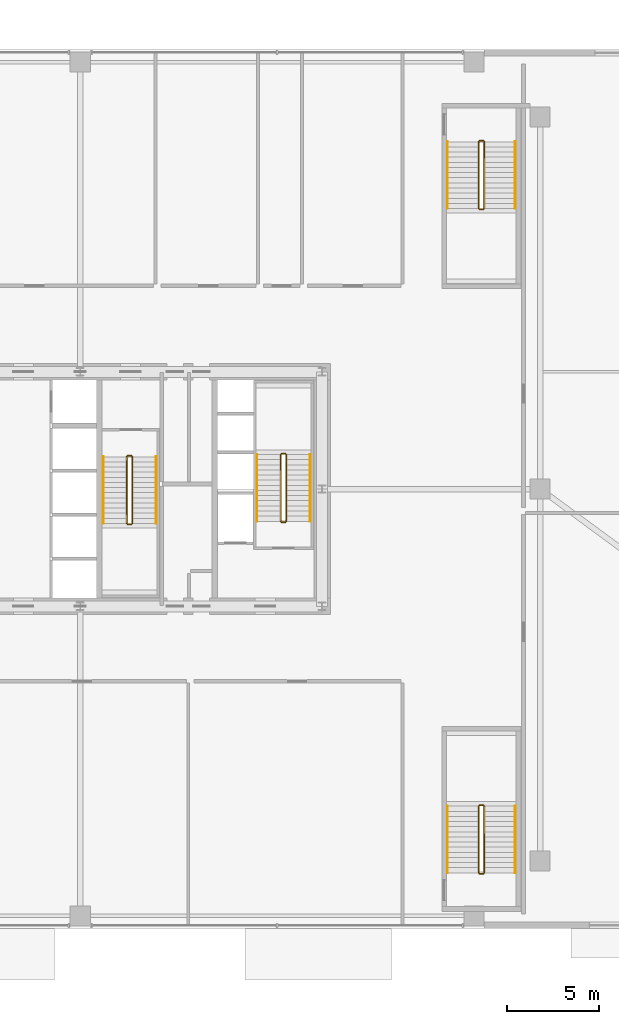
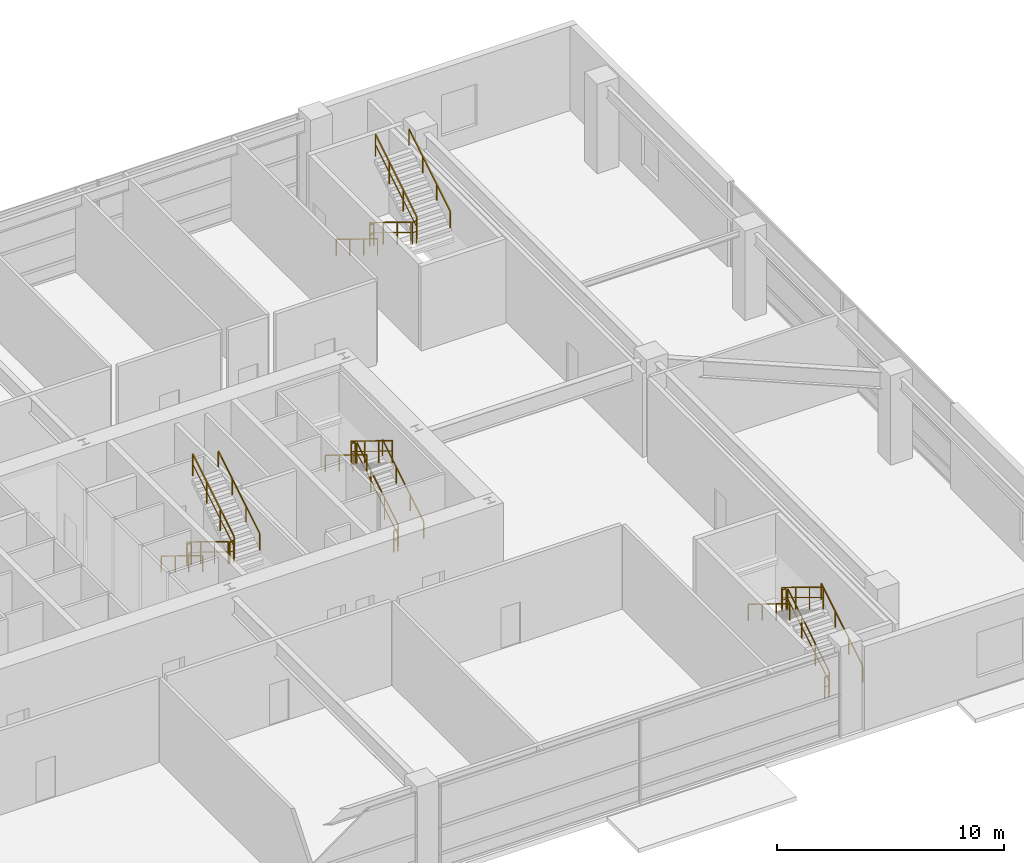
# One storey, part 37 of 37: 24 railings.
"""IFC4 building model written with IfcOpenShell, lengths in metres."""

from ifc_helpers import new_model, si_unit, direction, frame, origin, origin_2d, place, context, subcontext, project, spatial, rectangle, extrude, source, transform, mapped, material, layer, layer_set, type_object, element, save


model = new_model("IFC4")

# Units and contexts
model_context = context("Model", 3, precision=1e-05, world=origin(), true_north=direction((0.0, 1.0)))
body_context = subcontext(model_context, "Body", "Model", "MODEL_VIEW")
ifc_project = project(units=[si_unit("LENGTHUNIT", "METRE"), si_unit("AREAUNIT", "SQUARE_METRE"), si_unit("VOLUMEUNIT", "CUBIC_METRE"), si_unit("PLANEANGLEUNIT", "RADIAN"), si_unit("MASSUNIT", "GRAM", prefix="KILO"), si_unit("THERMODYNAMICTEMPERATUREUNIT", "KELVIN"), si_unit("POWERUNIT", "WATT")], contexts=[model_context])

# Site, building, storey
site_placement = place(None, origin())
site = spatial("IfcSite", under=ifc_project, at=site_placement, CompositionType="ELEMENT")
building_placement = place(site_placement, origin())
building = spatial("IfcBuilding", under=site, at=building_placement, Name="Yuzanri Waterfront Tower", CompositionType="ELEMENT")
storey_placement = place(building_placement, frame((0.0, 0.0, 5.39990234375)))
storey = spatial("IfcBuildingStorey", under=building, at=storey_placement, Name="L02", CompositionType="ELEMENT", Elevation=5.39990234375)

# Railings
ifc_material_1 = material(Name="Painted Galvanized Fire Steel", Category="steel")
ifc_layer_1 = layer(ifc_material_1, 0.06005859375)
ifc_layer_set_1 = layer_set([ifc_layer_1], Name="Painted Galvanized Fire Steel")
railing_type_1 = type_object("IfcRailingType", Name="Painted Steel Stairwell Guardrail 1120", PredefinedType="GUARDRAIL", material=ifc_layer_set_1)
shared_shape_1 = source(origin(), body_context, "Body", "SweptSolid", [
    extrude(rectangle(XDim=0.050048828125, YDim=0.050048828125, at=origin_2d()), frame((0.0, 0.0, 1.1748046875), z_axis=(-1.0, 0.0, 0.0), x_axis=(0.0, -1.0, 0.0)), (0.0, 0.0, 1.0), 0.199951171875),
    extrude(rectangle(XDim=0.035888671875, YDim=0.030029296875, at=origin_2d()), frame((0.0, 0.0, 0.6240234375), z_axis=(-1.0, 0.0, 0.0), x_axis=(0.0, -1.0, 0.0)), (0.0, 0.0, 1.0), 0.199951171875),
    extrude(rectangle(XDim=0.0458984375, YDim=0.0458984375, at=origin_2d()), origin(), (0.0, 0.0, 1.0), 1.14990234375),
    extrude(rectangle(XDim=0.0458984375, YDim=0.0458984375, at=origin_2d()), frame((-0.199951171875, 0.0, 0.0)), (0.0, 0.0, 1.0), 1.14990234375),
])
for number, where, name in (
    (1, (48.199951171875, 27.72998046875, 2.400146484375), "L02 ST-02 stair guard 2"),
    (2, (48.199951171875, 23.989990234375, 0.0), "L02 ST-02 stair guard 4"),
    (3, (59.0, 8.5400390625, 2.400146484375), "L02 PST-02 stair guard 2"),
    (4, (59.0, 4.800048828125, 0.0), "L02 PST-02 stair guard 4"),
):
    element("IfcRailing", number, at=place(storey_placement, frame(where)), inside=storey, type_object=railing_type_1, Name=name, PredefinedType="GUARDRAIL", context=body_context, shape_type="MappedRepresentation", body=[
        mapped(shared_shape_1, transform((0.0, 0.0, 0.0), scale=1.0)),
    ])
shared_shape_2 = source(origin(), body_context, "Body", "SweptSolid", [
    extrude(rectangle(XDim=0.050048828125, YDim=0.050048828125, at=origin_2d()), frame((0.0, 0.0, 1.1748046875), z_axis=(0.0, 0.852850264322, 0.5221555579), x_axis=(-1.0, 0.0, 0.0)), (0.0, 0.0, 1.0), 4.267822265625),
    extrude(rectangle(XDim=0.035888671875, YDim=0.030029296875, at=origin_2d()), frame((0.0, 0.0, 0.6240234375), z_axis=(0.0, 0.852850264322, 0.5221555579), x_axis=(-1.0, 0.0, 0.0)), (0.0, 0.0, 1.0), 4.267822265625),
    extrude(rectangle(XDim=0.0458984375, YDim=0.0458984375, at=origin_2d()), origin(), (0.0, 0.0, 1.0), 1.14990234375),
    extrude(rectangle(XDim=0.0458984375, YDim=0.0458984375, at=origin_2d()), frame((0.0, 1.21337890625, 0.742919921875)), (0.0, 0.0, 1.0), 1.14990234375),
    extrude(rectangle(XDim=0.0458984375, YDim=0.0458984375, at=origin_2d()), frame((0.0, 2.426513671875, 1.485595703125)), (0.0, 0.0, 1.0), 1.14990234375),
    extrude(rectangle(XDim=0.0458984375, YDim=0.0458984375, at=origin_2d()), frame((0.0, 3.639892578125, 2.228515625)), (0.0, 0.0, 1.0), 1.14990234375),
])
for number, where, name in (
    (5, (48.25, 24.0400390625, 0.171630859375), "L02 ST-02 stair guard 1"),
    (6, (59.050048828125, 4.85009765625, 0.171630859375), "L02 PST-02 stair guard 1"),
    (7, (59.050048828125, 41.110107421875, 2.571533203125), "L02 PST-03 stair guard 3"),
):
    element("IfcRailing", number, at=place(storey_placement, frame(where)), inside=storey, type_object=railing_type_1, Name=name, PredefinedType="GUARDRAIL", context=body_context, shape_type="MappedRepresentation", body=[
        mapped(shared_shape_2, transform((0.0, 0.0, 0.0), scale=1.0)),
    ])
shared_shape_3 = source(origin(), body_context, "Body", "SweptSolid", [
    extrude(rectangle(XDim=0.050048828125, YDim=0.050048828125, at=origin_2d()), frame((0.0, 0.0, 1.1748046875), z_axis=(0.0, -0.852850264322, 0.5221555579), x_axis=(1.0, 0.0, 0.0)), (0.0, 0.0, 1.0), 4.267822265625),
    extrude(rectangle(XDim=0.035888671875, YDim=0.030029296875, at=origin_2d()), frame((0.0, 0.0, 0.6240234375), z_axis=(0.0, -0.852850264322, 0.5221555579), x_axis=(1.0, 0.0, 0.0)), (0.0, 0.0, 1.0), 4.267822265625),
    extrude(rectangle(XDim=0.0458984375, YDim=0.0458984375, at=origin_2d()), origin(), (0.0, 0.0, 1.0), 1.14990234375),
    extrude(rectangle(XDim=0.0458984375, YDim=0.0458984375, at=origin_2d()), frame((0.0, -1.21337890625, 0.742919921875)), (0.0, 0.0, 1.0), 1.14990234375),
    extrude(rectangle(XDim=0.0458984375, YDim=0.0458984375, at=origin_2d()), frame((0.0, -2.426513671875, 1.485595703125)), (0.0, 0.0, 1.0), 1.14990234375),
    extrude(rectangle(XDim=0.0458984375, YDim=0.0458984375, at=origin_2d()), frame((0.0, -3.639892578125, 2.228515625)), (0.0, 0.0, 1.0), 1.14990234375),
])
for number, where, name in (
    (8, (47.949951171875, 27.679931640625, 2.571533203125), "L02 ST-02 stair guard 3"),
    (9, (58.75, 8.489990234375, 2.571533203125), "L02 PST-02 stair guard 3"),
    (10, (58.75, 44.75, 0.171630859375), "L02 PST-03 stair guard 1"),
):
    element("IfcRailing", number, at=place(storey_placement, frame(where)), inside=storey, type_object=railing_type_1, Name=name, PredefinedType="GUARDRAIL", context=body_context, shape_type="MappedRepresentation", body=[
        mapped(shared_shape_3, transform((0.0, 0.0, 0.0), scale=1.0)),
    ])
ifc_material_2 = material(Name="Anodized Architectural Bronze", Category="metal")
ifc_layer_2 = layer(ifc_material_2, 0.050048828125)
ifc_layer_set_2 = layer_set([ifc_layer_2], Name="Anodized Architectural Bronze")
railing_type_2 = type_object("IfcRailingType", Name="Brushed Bronze Stair Pitch Handrail 920", PredefinedType="HANDRAIL", material=ifc_layer_set_2)
shared_shape_4 = source(origin(), body_context, "Body", "SweptSolid", [
    extrude(rectangle(XDim=0.050048828125, YDim=0.050048828125, at=origin_2d()), frame((0.0, 0.0, 0.875), z_axis=(0.0, 0.852850264322, 0.5221555579), x_axis=(-1.0, 0.0, 0.0)), (0.0, 0.0, 1.0), 4.267822265625),
    extrude(rectangle(XDim=0.0458984375, YDim=0.0458984375, at=origin_2d()), origin(), (0.0, 0.0, 1.0), 0.849853515625),
    extrude(rectangle(XDim=0.0458984375, YDim=0.0458984375, at=origin_2d()), frame((0.0, 1.21337890625, 0.742919921875)), (0.0, 0.0, 1.0), 0.849853515625),
    extrude(rectangle(XDim=0.0458984375, YDim=0.0458984375, at=origin_2d()), frame((0.0, 2.426513671875, 1.485595703125)), (0.0, 0.0, 1.0), 0.849853515625),
    extrude(rectangle(XDim=0.0458984375, YDim=0.0458984375, at=origin_2d()), frame((0.0, 3.639892578125, 2.228515625)), (0.0, 0.0, 1.0), 0.849853515625),
])
for number, where, name in (
    (11, (49.550048828125, 24.0400390625, 0.171630859375), "L02 ST-02 stair handrail 1"),
    (12, (60.75, 4.85009765625, 0.171630859375), "L02 PST-02 stair handrail 1"),
    (13, (60.75, 41.110107421875, 2.571533203125), "L02 PST-03 stair handrail 2"),
):
    element("IfcRailing", number, at=place(storey_placement, frame(where)), inside=storey, type_object=railing_type_2, Name=name, PredefinedType="HANDRAIL", context=body_context, shape_type="MappedRepresentation", body=[
        mapped(shared_shape_4, transform((0.0, 0.0, 0.0), scale=1.0)),
    ])
shared_shape_5 = source(origin(), body_context, "Body", "SweptSolid", [
    extrude(rectangle(XDim=0.050048828125, YDim=0.050048828125, at=origin_2d()), frame((0.0, 0.0, 0.875), z_axis=(0.0, -0.852850264322, 0.5221555579), x_axis=(1.0, 0.0, 0.0)), (0.0, 0.0, 1.0), 4.267822265625),
    extrude(rectangle(XDim=0.0458984375, YDim=0.0458984375, at=origin_2d()), origin(), (0.0, 0.0, 1.0), 0.849853515625),
    extrude(rectangle(XDim=0.0458984375, YDim=0.0458984375, at=origin_2d()), frame((0.0, -1.21337890625, 0.742919921875)), (0.0, 0.0, 1.0), 0.849853515625),
    extrude(rectangle(XDim=0.0458984375, YDim=0.0458984375, at=origin_2d()), frame((0.0, -2.426513671875, 1.485595703125)), (0.0, 0.0, 1.0), 0.849853515625),
    extrude(rectangle(XDim=0.0458984375, YDim=0.0458984375, at=origin_2d()), frame((0.0, -3.639892578125, 2.228515625)), (0.0, 0.0, 1.0), 0.849853515625),
])
for number, where, name in (
    (14, (46.64990234375, 27.679931640625, 2.571533203125), "L02 ST-02 stair handrail 2"),
    (15, (57.050048828125, 8.489990234375, 2.571533203125), "L02 PST-02 stair handrail 2"),
    (16, (57.050048828125, 44.75, 0.171630859375), "L02 PST-03 stair handrail 1"),
):
    element("IfcRailing", number, at=place(storey_placement, frame(where)), inside=storey, type_object=railing_type_2, Name=name, PredefinedType="HANDRAIL", context=body_context, shape_type="MappedRepresentation", body=[
        mapped(shared_shape_5, transform((0.0, 0.0, 0.0), scale=1.0)),
    ])
shared_shape_6 = source(origin(), body_context, "Body", "SweptSolid", [
    extrude(rectangle(XDim=0.050048828125, YDim=0.050048828125, at=origin_2d()), frame((0.0, 0.0, 1.1748046875), z_axis=(1.0, 0.0, 0.0), x_axis=(0.0, 1.0, 0.0)), (0.0, 0.0, 1.0), 0.199951171875),
    extrude(rectangle(XDim=0.035888671875, YDim=0.030029296875, at=origin_2d()), frame((0.0, 0.0, 0.6240234375), z_axis=(1.0, 0.0, 0.0), x_axis=(0.0, 1.0, 0.0)), (0.0, 0.0, 1.0), 0.199951171875),
    extrude(rectangle(XDim=0.0458984375, YDim=0.0458984375, at=origin_2d()), origin(), (0.0, 0.0, 1.0), 1.14990234375),
    extrude(rectangle(XDim=0.0458984375, YDim=0.0458984375, at=origin_2d()), frame((0.199951171875, 0.0, 0.0)), (0.0, 0.0, 1.0), 1.14990234375),
])
for number, where, name in (
    (17, (39.60009765625, 23.8701171875, 2.400146484375), "L02 ST-03 stair guard 2"),
    (18, (39.60009765625, 27.610107421875, 0.0), "L02 ST-03 stair guard 4"),
    (19, (58.800048828125, 41.06005859375, 2.400146484375), "L02 PST-03 stair guard 2"),
    (20, (58.800048828125, 44.800048828125, 0.0), "L02 PST-03 stair guard 4"),
):
    element("IfcRailing", number, at=place(storey_placement, frame(where)), inside=storey, type_object=railing_type_1, Name=name, PredefinedType="GUARDRAIL", context=body_context, shape_type="MappedRepresentation", body=[
        mapped(shared_shape_6, transform((0.0, 0.0, 0.0), scale=1.0)),
    ])
shared_shape_7 = source(origin(), body_context, "Body", "SweptSolid", [
    extrude(rectangle(XDim=0.050048828125, YDim=0.050048828125, at=origin_2d()), frame((0.0, 0.0, 1.1748046875), z_axis=(0.0, -0.852865859571, 0.52213008492), x_axis=(1.0, 0.0, 0.0)), (0.0, 0.0, 1.0), 4.26806640625),
    extrude(rectangle(XDim=0.035888671875, YDim=0.030029296875, at=origin_2d()), frame((0.0, 0.0, 0.6240234375), z_axis=(0.0, -0.852865859571, 0.52213008492), x_axis=(1.0, 0.0, 0.0)), (0.0, 0.0, 1.0), 4.26806640625),
    extrude(rectangle(XDim=0.0458984375, YDim=0.0458984375, at=origin_2d()), origin(), (0.0, 0.0, 1.0), 1.14990234375),
    extrude(rectangle(XDim=0.0458984375, YDim=0.0458984375, at=origin_2d()), frame((0.0, -1.21337890625, 0.742919921875)), (0.0, 0.0, 1.0), 1.14990234375),
    extrude(rectangle(XDim=0.0458984375, YDim=0.0458984375, at=origin_2d()), frame((0.0, -2.4267578125, 1.485595703125)), (0.0, 0.0, 1.0), 1.14990234375),
    extrude(rectangle(XDim=0.0458984375, YDim=0.0458984375, at=origin_2d()), frame((0.0, -3.64013671875, 2.228515625)), (0.0, 0.0, 1.0), 1.14990234375),
])
railing_1_placement = place(storey_placement, frame((39.550048828125, 27.56005859375, 0.171630859375)))
element("IfcRailing", 21, at=railing_1_placement, inside=storey, type_object=railing_type_1, Name="L02 ST-03 stair guard 1", PredefinedType="GUARDRAIL", context=body_context, shape_type="MappedRepresentation", body=[
    mapped(shared_shape_7, transform((0.0, 0.0, 0.0), scale=1.0)),
])
shared_shape_8 = source(origin(), body_context, "Body", "SweptSolid", [
    extrude(rectangle(XDim=0.050048828125, YDim=0.050048828125, at=origin_2d()), frame((0.0, 0.0, 1.1748046875), z_axis=(0.0, 0.852865859571, 0.52213008492), x_axis=(-1.0, 0.0, 0.0)), (0.0, 0.0, 1.0), 4.26806640625),
    extrude(rectangle(XDim=0.035888671875, YDim=0.030029296875, at=origin_2d()), frame((0.0, 0.0, 0.6240234375), z_axis=(0.0, 0.852865859571, 0.52213008492), x_axis=(-1.0, 0.0, 0.0)), (0.0, 0.0, 1.0), 4.26806640625),
    extrude(rectangle(XDim=0.0458984375, YDim=0.0458984375, at=origin_2d()), origin(), (0.0, 0.0, 1.0), 1.14990234375),
    extrude(rectangle(XDim=0.0458984375, YDim=0.0458984375, at=origin_2d()), frame((0.0, 1.21337890625, 0.742919921875)), (0.0, 0.0, 1.0), 1.14990234375),
    extrude(rectangle(XDim=0.0458984375, YDim=0.0458984375, at=origin_2d()), frame((0.0, 2.4267578125, 1.485595703125)), (0.0, 0.0, 1.0), 1.14990234375),
    extrude(rectangle(XDim=0.0458984375, YDim=0.0458984375, at=origin_2d()), frame((0.0, 3.64013671875, 2.228515625)), (0.0, 0.0, 1.0), 1.14990234375),
])
railing_2_placement = place(storey_placement, frame((39.85009765625, 23.919921875, 2.571533203125)))
element("IfcRailing", 22, at=railing_2_placement, inside=storey, type_object=railing_type_1, Name="L02 ST-03 stair guard 3", PredefinedType="GUARDRAIL", context=body_context, shape_type="MappedRepresentation", body=[
    mapped(shared_shape_8, transform((0.0, 0.0, 0.0), scale=1.0)),
])
shared_shape_9 = source(origin(), body_context, "Body", "SweptSolid", [
    extrude(rectangle(XDim=0.050048828125, YDim=0.050048828125, at=origin_2d()), frame((0.0, 0.0, 0.875), z_axis=(0.0, -0.852865859571, 0.52213008492), x_axis=(1.0, 0.0, 0.0)), (0.0, 0.0, 1.0), 4.26806640625),
    extrude(rectangle(XDim=0.0458984375, YDim=0.0458984375, at=origin_2d()), origin(), (0.0, 0.0, 1.0), 0.849853515625),
    extrude(rectangle(XDim=0.0458984375, YDim=0.0458984375, at=origin_2d()), frame((0.0, -1.21337890625, 0.742919921875)), (0.0, 0.0, 1.0), 0.849853515625),
    extrude(rectangle(XDim=0.0458984375, YDim=0.0458984375, at=origin_2d()), frame((0.0, -2.4267578125, 1.485595703125)), (0.0, 0.0, 1.0), 0.849853515625),
    extrude(rectangle(XDim=0.0458984375, YDim=0.0458984375, at=origin_2d()), frame((0.0, -3.64013671875, 2.228515625)), (0.0, 0.0, 1.0), 0.849853515625),
])
railing_3_placement = place(storey_placement, frame((38.25, 27.56005859375, 0.171630859375)))
element("IfcRailing", 23, at=railing_3_placement, inside=storey, type_object=railing_type_2, Name="L02 ST-03 stair handrail 1", PredefinedType="HANDRAIL", context=body_context, shape_type="MappedRepresentation", body=[
    mapped(shared_shape_9, transform((0.0, 0.0, 0.0), scale=1.0)),
])
shared_shape_10 = source(origin(), body_context, "Body", "SweptSolid", [
    extrude(rectangle(XDim=0.050048828125, YDim=0.050048828125, at=origin_2d()), frame((0.0, 0.0, 0.875), z_axis=(0.0, 0.852865859571, 0.52213008492), x_axis=(-1.0, 0.0, 0.0)), (0.0, 0.0, 1.0), 4.26806640625),
    extrude(rectangle(XDim=0.0458984375, YDim=0.0458984375, at=origin_2d()), origin(), (0.0, 0.0, 1.0), 0.849853515625),
    extrude(rectangle(XDim=0.0458984375, YDim=0.0458984375, at=origin_2d()), frame((0.0, 1.21337890625, 0.742919921875)), (0.0, 0.0, 1.0), 0.849853515625),
    extrude(rectangle(XDim=0.0458984375, YDim=0.0458984375, at=origin_2d()), frame((0.0, 2.4267578125, 1.485595703125)), (0.0, 0.0, 1.0), 0.849853515625),
    extrude(rectangle(XDim=0.0458984375, YDim=0.0458984375, at=origin_2d()), frame((0.0, 3.64013671875, 2.228515625)), (0.0, 0.0, 1.0), 0.849853515625),
])
railing_4_placement = place(storey_placement, frame((41.14990234375, 23.919921875, 2.571533203125)))
element("IfcRailing", 24, at=railing_4_placement, inside=storey, type_object=railing_type_2, Name="L02 ST-03 stair handrail 2", PredefinedType="HANDRAIL", context=body_context, shape_type="MappedRepresentation", body=[
    mapped(shared_shape_10, transform((0.0, 0.0, 0.0), scale=1.0)),
])

save(model, "model.ifc")
